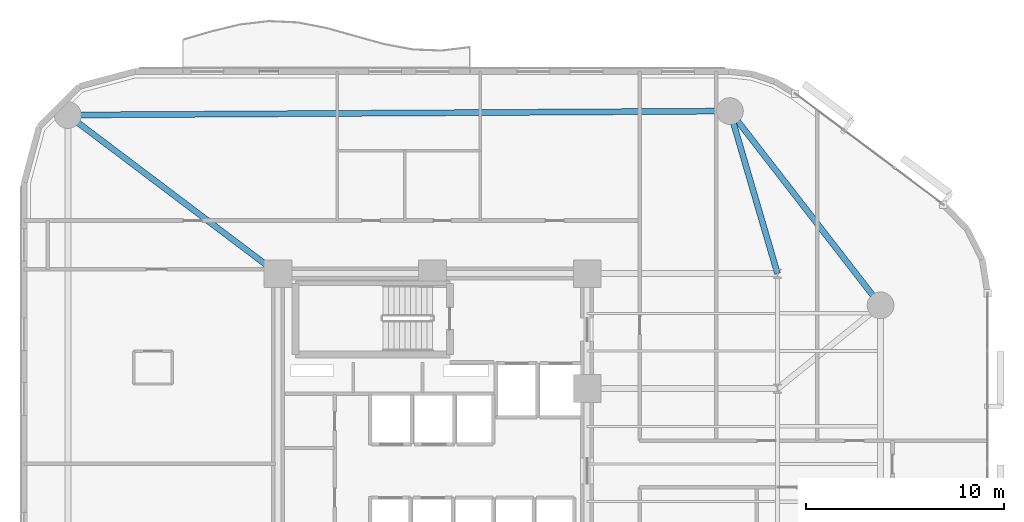
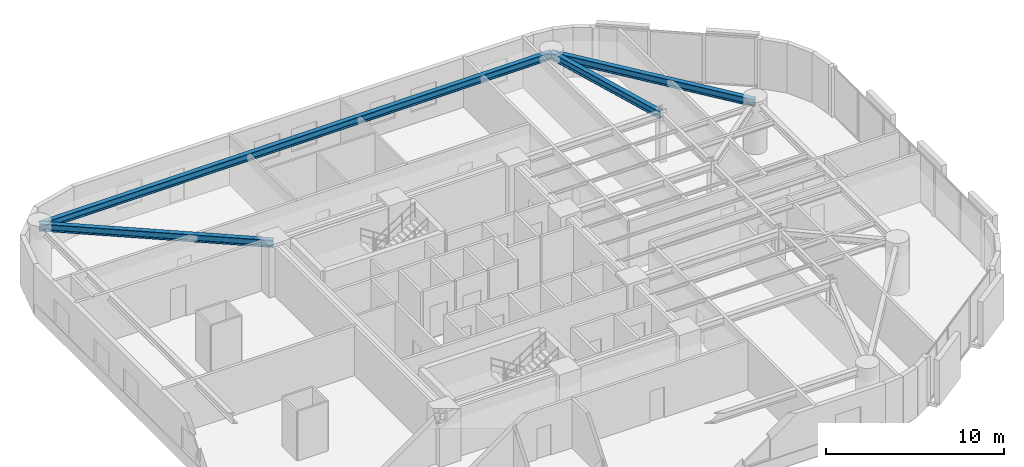
# One storey, part 7 of 16: 4 beams.
"""IFC4 building model written with IfcOpenShell, lengths in metres."""

from ifc_helpers import new_model, si_unit, direction, frame, origin, origin_2d, place, context, subcontext, project, spatial, i_section, extrude, material, material_profile, profile_set, type_object, element, save


model = new_model("IFC4")

# Units and contexts
model_context = context("Model", 3, precision=1e-05, world=origin(), true_north=direction((0.0, 1.0)))
body_context = subcontext(model_context, "Body", "Model", "MODEL_VIEW")
ifc_project = project(units=[si_unit("LENGTHUNIT", "METRE"), si_unit("AREAUNIT", "SQUARE_METRE"), si_unit("VOLUMEUNIT", "CUBIC_METRE"), si_unit("PLANEANGLEUNIT", "RADIAN"), si_unit("MASSUNIT", "GRAM", prefix="KILO")], contexts=[model_context])

# Site, building, storey
site_placement = place(None, origin())
site = spatial("IfcSite", under=ifc_project, at=site_placement, CompositionType="ELEMENT")
building_placement = place(site_placement, origin())
building = spatial("IfcBuilding", under=site, at=building_placement, Name="An Khanh Terracotta Commons", CompositionType="ELEMENT")
storey_placement = place(building_placement, frame((0.0, 0.0, 111.5)))
storey = spatial("IfcBuildingStorey", under=building, at=storey_placement, Name="L29", CompositionType="ELEMENT", Elevation=111.5)

# Beams
ifc_material = material(Name="Steel S355J2", Category="steel")
ifc_material_profile = material_profile(ifc_material, i_section(OverallWidth=0.300048828125, OverallDepth=0.5, WebThickness=0.014404296875, FlangeThickness=0.028076171875, FilletRadius=0.027099609375, at=origin_2d()), Name="HEB500")
ifc_profile_set = profile_set([ifc_material_profile], Name="Steel S355J2")
beam_type = type_object("IfcBeamType", Name="BM-HEB500", PredefinedType="BEAM", material=ifc_profile_set)
beam_1_placement = place(storey_placement, frame((52.0, 32.0, 3.14990234375), z_axis=(-0.612826529795, 0.790217466511, 0.0), x_axis=(-0.790217466511, -0.612826529795, 0.0)))
element("IfcBeam", 1, at=beam_1_placement, inside=storey, type_object=beam_type, Name="L29 Perimeter Ring Spandrel 4", PredefinedType="BEAM", context=body_context, shape_type="SweptSolid", body=[
    extrude(i_section(OverallWidth=0.300048828125, OverallDepth=0.5, WebThickness=0.014404296875, FlangeThickness=0.028076171875, FilletRadius=0.027099609375, at=origin_2d()), origin(), (0.0, 0.0, 1.0), 12.401611328125),
])
beam_2_placement = place(storey_placement, frame((44.39990234375, 41.800048828125, 3.14990234375), z_axis=(-0.999982080914, -0.005986472262, 0.0), x_axis=(0.005986472262, -0.999982080914, 0.0)))
element("IfcBeam", 2, at=beam_2_placement, inside=storey, type_object=beam_type, Name="L29 Perimeter Ring Spandrel 5", PredefinedType="BEAM", context=body_context, shape_type="SweptSolid", body=[
    extrude(i_section(OverallWidth=0.300048828125, OverallDepth=0.5, WebThickness=0.014404296875, FlangeThickness=0.028076171875, FilletRadius=0.027099609375, at=origin_2d()), origin(), (0.0, 0.0, 1.0), 33.400390625),
])
beam_3_placement = place(storey_placement, frame((44.39990234375, 41.800048828125, 3.14990234375), z_axis=(0.280916085823, -0.959732333896, 0.0), x_axis=(0.959732333896, 0.280916085823, 0.0)))
element("IfcBeam", 3, at=beam_3_placement, inside=storey, type_object=beam_type, Name="L29 Mega-Column Tie Girder 5", PredefinedType="BEAM", context=body_context, shape_type="SweptSolid", body=[
    extrude(i_section(OverallWidth=0.300048828125, OverallDepth=0.5, WebThickness=0.014404296875, FlangeThickness=0.028076171875, FilletRadius=0.027099609375, at=origin_2d()), origin(), (0.0, 0.0, 1.0), 8.5439453125),
])
beam_4_placement = place(storey_placement, frame((11.0, 41.60009765625, 3.14990234375), z_axis=(0.798191818888, -0.602403370061, 0.0), x_axis=(0.602403370061, 0.798191818888, 0.0)))
element("IfcBeam", 4, at=beam_4_placement, inside=storey, type_object=beam_type, Name="L29 Mega-Column Tie Girder 6", PredefinedType="BEAM", context=body_context, shape_type="SweptSolid", body=[
    extrude(i_section(OverallWidth=0.300048828125, OverallDepth=0.5, WebThickness=0.014404296875, FlangeThickness=0.028076171875, FilletRadius=0.027099609375, at=origin_2d()), origin(), (0.0, 0.0, 1.0), 13.280029296875),
])

save(model, "model.ifc")
